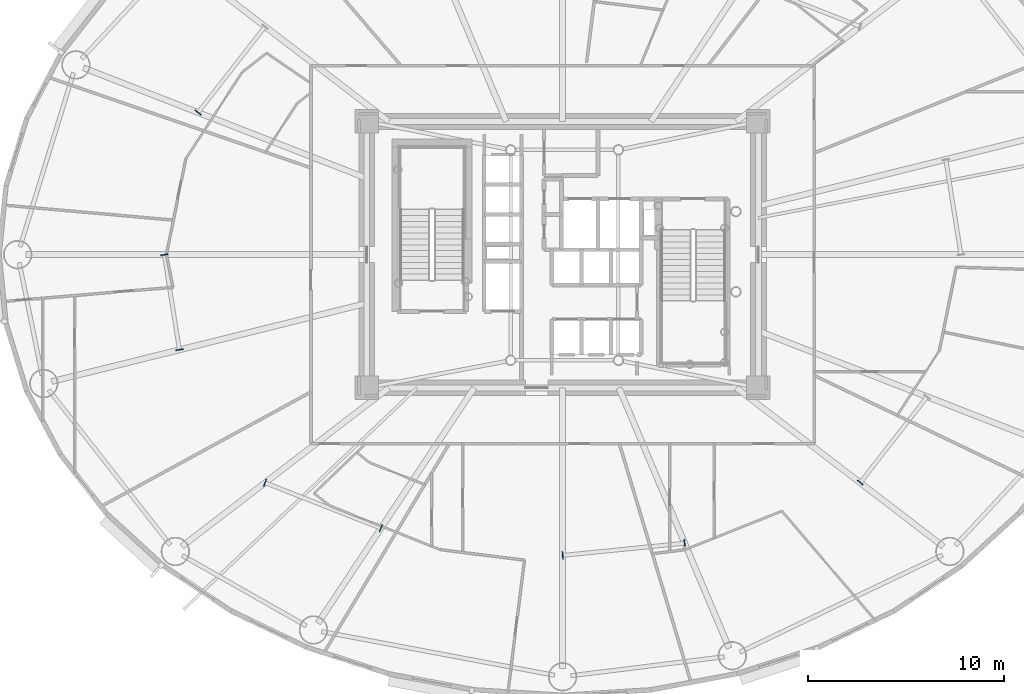
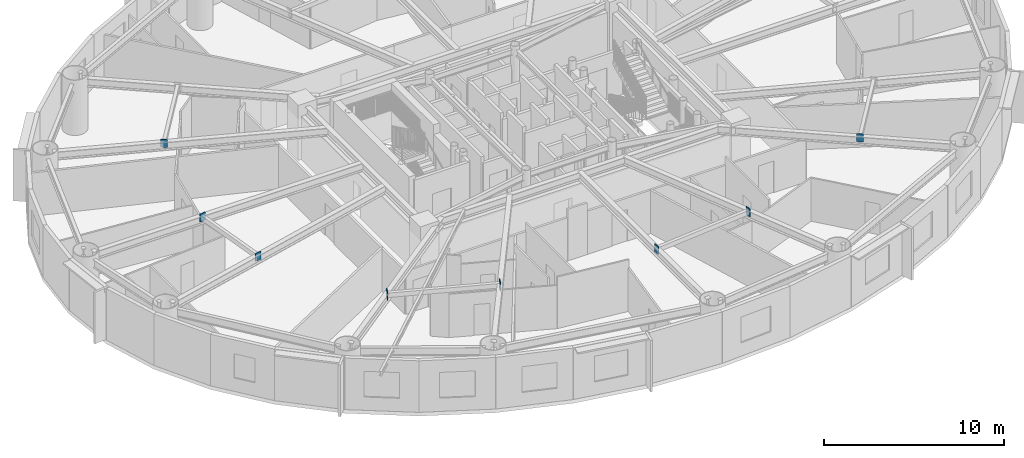
# One storey, part 7 of 21: 8 plates.
"""IFC4 building model written with IfcOpenShell, lengths in metres."""

from ifc_helpers import new_model, si_unit, direction, frame, origin, origin_2d, place, context, subcontext, project, spatial, rectangle, extrude, source, transform, mapped, material, layer, layer_set, type_object, element, save


model = new_model("IFC4")

# Units and contexts
model_context = context("Model", 3, precision=1e-05, world=origin(), true_north=direction((0.0, 1.0)))
body_context = subcontext(model_context, "Body", "Model", "MODEL_VIEW")
ifc_project = project(units=[si_unit("LENGTHUNIT", "METRE"), si_unit("AREAUNIT", "SQUARE_METRE"), si_unit("VOLUMEUNIT", "CUBIC_METRE"), si_unit("PLANEANGLEUNIT", "RADIAN"), si_unit("MASSUNIT", "GRAM", prefix="KILO")], contexts=[model_context])

# Site, building, storey
site_placement = place(None, origin())
site = spatial("IfcSite", under=ifc_project, at=site_placement, CompositionType="ELEMENT")
building_placement = place(site_placement, origin())
building = spatial("IfcBuilding", under=site, at=building_placement, Name="Linh Dai School and Residence Tower", CompositionType="ELEMENT")
storey_placement = place(building_placement, frame((0.0, 0.0, 97.199951171875)))
storey = spatial("IfcBuildingStorey", under=building, at=storey_placement, Name="L22", CompositionType="ELEMENT", Elevation=97.199951171875)

# Plates
ifc_material = material(Name="Structural Steel S355JR", Category="steel")
ifc_layer = layer(ifc_material, 0.0400390625)
ifc_layer_set = layer_set([ifc_layer], Name="Structural Steel S355JR")
plate_type = type_object("IfcPlateType", Name="PLT-GP1", PredefinedType="USERDEFINED", material=ifc_layer_set)
shared_shape = source(origin(), body_context, "Body", "SweptSolid", [
    extrude(rectangle(XDim=0.0400390625, YDim=0.3798828125, at=origin_2d()), origin(), (0.0, 0.0, 1.0), 0.5400390625),
])
for number, where, z_axis, x_axis, name in (
    (1, (17.390625, 34.260009765625, 3.080078125), (0.0, 0.0, 1.0), (-0.614362913717, -0.789023580287, 0.0), "L22 Secondary Beam End Plate 04B"),
    (2, (15.662353515625, 26.9951171875, 3.080078125), (0.0, 0.0, 1.0), (0.157025103807, -0.987594611556, 0.0), "L22 Secondary Beam End Plate 05A"),
    (3, (16.43359375, 22.14453125, 3.080078125), (0.0, 0.0, 1.0), (0.157025103807, -0.987594611556, 0.0), "L22 Secondary Beam End Plate 05B"),
    (4, (20.810546875, 15.35205078125, 3.080078125), (0.0, 0.0, 1.0), (0.930752465806, -0.3656498973, 0.0), "L22 Secondary Beam End Plate 06A"),
    (5, (26.720703125, 13.030029296875, 3.080078125), (0.0, 0.0, 1.0), (0.930752465806, -0.3656498973, 0.0), "L22 Secondary Beam End Plate 06B"),
    (6, (36.0048828125, 11.642578125, 3.080078125), (0.0, 0.0, 1.0), (0.995041739642, 0.09945821419, 0.0), "L22 Secondary Beam End Plate 07A"),
    (7, (42.2294921875, 12.2646484375, 3.080078125), (0.0, 0.0, 1.0), (0.995041739642, 0.09945821419, 0.0), "L22 Secondary Beam End Plate 07B"),
    (8, (51.197265625, 15.35791015625, 3.080078125), (0.0, 0.0, 1.0), (0.614362913717, 0.789023580287, 0.0), "L22 Secondary Beam End Plate 08A"),
):
    element("IfcPlate", number, at=place(storey_placement, frame(where, z_axis=z_axis, x_axis=x_axis)), inside=storey, type_object=plate_type, Name=name, ObjectType="GUSSET PLATE", PredefinedType="USERDEFINED", context=body_context, shape_type="MappedRepresentation", body=[
        mapped(shared_shape, transform((0.0, 0.0, 0.0), x_axis=(1.0, 0.0, 0.0), y_axis=(0.0, 1.0, 0.0), z_axis=(0.0, 0.0, 1.0), scale=1.0)),
    ])

save(model, "model.ifc")
